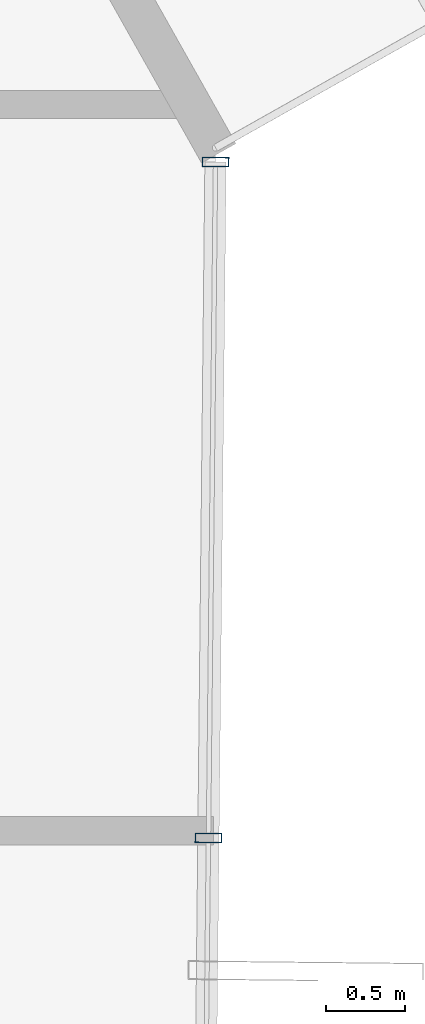
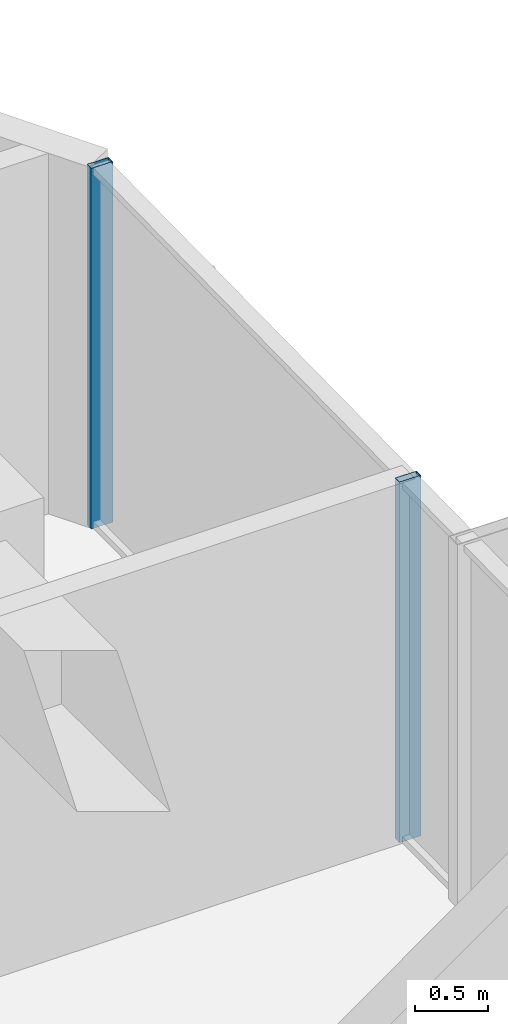
# One storey, part 16 of 30: 2 members, 1 element without a shape of its own.
"""IFC4 building model written with IfcOpenShell, lengths in metres."""

from ifc_helpers import new_model, si_unit, direction, frame, origin, origin_2d, place, context, subcontext, project, spatial, hollow_rectangle, extrude, source, transform, mapped, material, layer, layer_set, material_profile, profile_set, type_object, element, aggregate, save


model = new_model("IFC4")

# Units and contexts
model_context = context("Model", 3, precision=1e-05, world=origin(), true_north=direction((0.0, 1.0)))
body_context = subcontext(model_context, "Body", "Model", "MODEL_VIEW")
ifc_project = project(units=[si_unit("LENGTHUNIT", "METRE"), si_unit("AREAUNIT", "SQUARE_METRE"), si_unit("VOLUMEUNIT", "CUBIC_METRE"), si_unit("PLANEANGLEUNIT", "RADIAN"), si_unit("MASSUNIT", "GRAM", prefix="KILO")], contexts=[model_context])

# Site, building, storey
site_placement = place(None, origin())
site = spatial("IfcSite", under=ifc_project, at=site_placement, CompositionType="ELEMENT")
building_placement = place(site_placement, origin())
building = spatial("IfcBuilding", under=site, at=building_placement, Name="Veraguas Prism Commons", CompositionType="ELEMENT")
storey_placement = place(building_placement, frame((0.0, 0.0, 126.25)))
storey = spatial("IfcBuildingStorey", under=building, at=storey_placement, Name="L35", CompositionType="ELEMENT", Elevation=126.25)

# Curtain wall, members
ifc_material = material(Name="Anodised aluminium EN AW-6063 T6", Category="aluminium")
ifc_layer = layer(ifc_material, 0.169921875, Name="Unitised Flush Curtain Wall Zone 2", Category="aluminium")
ifc_layer_set = layer_set([ifc_layer], Name="Anodised aluminium EN AW-6063 T6")
curtain_wall_type = type_object("IfcCurtainWallType", Name="Unitised Flush Curtain Wall Zone 2", PredefinedType="NOTDEFINED", material=ifc_layer_set)
curtain_wall_placement = place(storey_placement, origin())
curtain_wall = element("IfcCurtainWall", 1, at=curtain_wall_placement, inside=storey, type_object=curtain_wall_type, Name="Tower Facade Curtain Wall L35-F6", PredefinedType="NOTDEFINED")
ifc_material_profile = material_profile(ifc_material, hollow_rectangle(XDim=0.06005859375, YDim=0.169921875, WallThickness=0.00390625, at=origin_2d()), Name="AL60X170X4")
ifc_profile_set = profile_set([ifc_material_profile], Name="Anodised aluminium EN AW-6063 T6")
member_type = type_object("IfcMemberType", Name="Curtain Wall Mullion Lower AL 60x170x4", PredefinedType="MULLION", material=ifc_profile_set)
shared_shape = source(origin(), body_context, "Body", "SweptSolid", [
    extrude(hollow_rectangle(XDim=0.06005859375, YDim=0.169921875, WallThickness=0.00390625, at=origin_2d()), origin(), (0.0, 0.0, 1.0), 3.0),
])
member_1_placement = place(storey_placement, frame((43.2265625, 28.107421875, 0.0), z_axis=(0.0, 0.0, 1.0), x_axis=(0.01047876505, 0.999945096234, 0.0)))
member_1 = element("IfcMember", 2, at=member_1_placement, type_object=member_type, Name="CW-Z2 Mullion 4", PredefinedType="MULLION", context=body_context, shape_type="MappedRepresentation", body=[
    mapped(shared_shape, transform((0.0, 0.0, 0.0), scale=1.0)),
])
member_2_placement = place(storey_placement, frame((43.271484375, 32.3857421875, 0.0), z_axis=(0.0, 0.0, 1.0), x_axis=(0.01047876505, 0.999945096234, 0.0)))
member_2 = element("IfcMember", 3, at=member_2_placement, type_object=member_type, Name="CW-Z2 Mullion 5", PredefinedType="MULLION", context=body_context, shape_type="MappedRepresentation", body=[
    mapped(shared_shape, transform((0.0, 0.0, 0.0), scale=1.0)),
])
aggregate(curtain_wall, [member_1, member_2])

save(model, "model.ifc")
